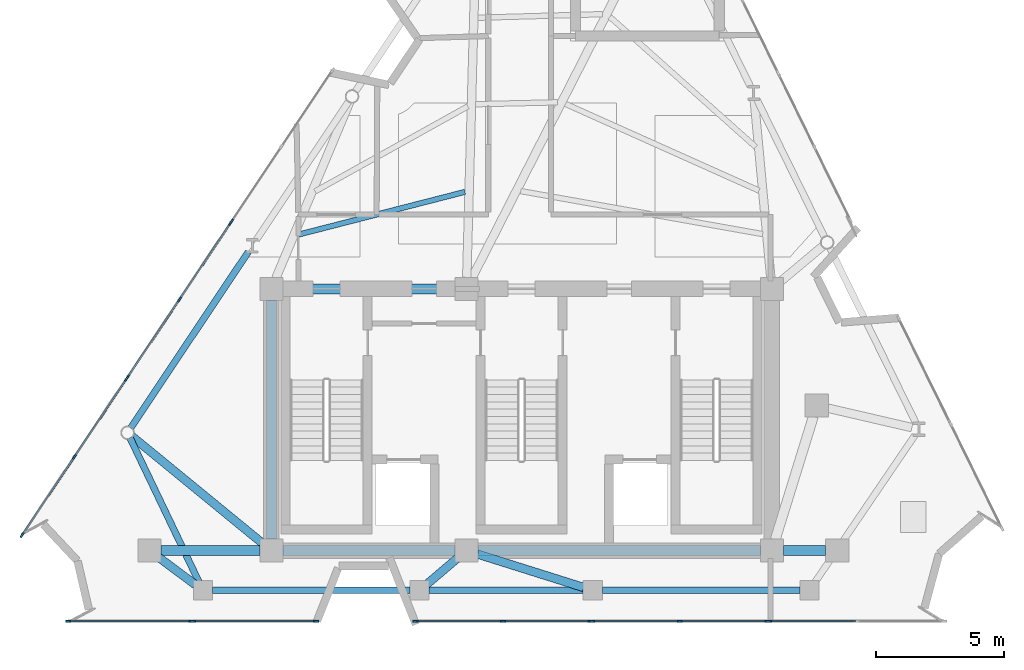
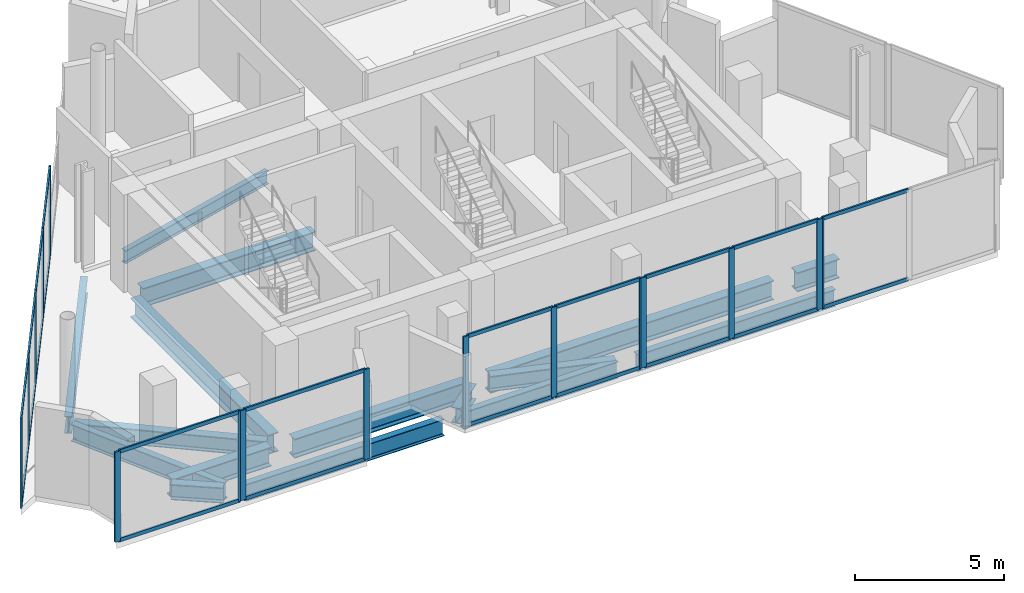
# One storey, part 2 of 9: 40 members, 16 beams, 8 elements without a shape of their own.
"""IFC4 building model written with IfcOpenShell, lengths in metres."""

import ifcopenshell
import ifcopenshell.guid

model = None  # the IFC model being written
_history = None  # IfcOwnerHistory: only IFC2X3 demands one
_inside = {}  # id of a spatial element -> (the spatial element, [elements in it])
_under = {}  # id of a project, library or spatial element -> (it, [spatial elements below it])
_declared = {}  # id of a project -> (the project, [libraries it declares])
_typed = {}  # id of a type object -> (the type object, [elements of that type])
_made_of = {}  # id of a material, layer set ... -> (it, [elements and type objects made of it])


def new_model(schema):
    """Start an empty IFC model of exactly this schema.

    Asked for "IFC4X3", IfcOpenShell would pick the latest addendum, in which some entities
    have other attributes; the version numbers below select the first issue.
    IFC2X3 requires an IfcOwnerHistory on every rooted entity: one is made here for all.
    """
    global model, _history
    if schema == "IFC4X3":
        model = ifcopenshell.file(schema_version=(4, 3, 0, 0))
    else:
        model = ifcopenshell.file(schema=schema)
    _inside.clear()
    _under.clear()
    _declared.clear()
    _typed.clear()
    _made_of.clear()
    _history = None
    if model.schema == "IFC2X3":
        org = make("IfcOrganization", Name="unknown")
        user = make(
            "IfcPersonAndOrganization",
            ThePerson=make("IfcPerson", FamilyName="unknown"),
            TheOrganization=org,
        )
        app = make(
            "IfcApplication",
            ApplicationDeveloper=org,
            Version="unknown",
            ApplicationFullName="unknown",
            ApplicationIdentifier="unknown",
        )
        _history = make(
            "IfcOwnerHistory",
            OwningUser=user,
            OwningApplication=app,
            ChangeAction="ADDED",
            CreationDate=0,
        )
    return model


def make(cls, **values):
    """One entity of the class cls with the attributes given. An attribute that is None is left unset."""
    return model.create_entity(
        cls, **{name: value for name, value in values.items() if value is not None}
    )


def rooted(cls, **values):
    """An entity with a GlobalId (a new one), such as an element, a storey or a relation."""
    return make(cls, GlobalId=ifcopenshell.guid.new(), OwnerHistory=_history, **values)


def si_unit(unit_type, name, prefix=None):
    """IfcSIUnit, for example si_unit("LENGTHUNIT", "METRE", prefix="MILLI")."""
    return make("IfcSIUnit", UnitType=unit_type, Prefix=prefix, Name=name)


def assignment(units):
    """IfcUnitAssignment: the units of a project."""
    return None if units is None else make("IfcUnitAssignment", Units=units)


def point(xyz):
    """IfcCartesianPoint."""
    return None if xyz is None else make("IfcCartesianPoint", Coordinates=xyz)


def direction(xyz):
    """IfcDirection."""
    return None if xyz is None else make("IfcDirection", DirectionRatios=xyz)


def frame(location, z_axis=None, x_axis=None):
    """IfcAxis2Placement3D, a coordinate frame: its origin and axes. An axis left out is left unset."""
    return make(
        "IfcAxis2Placement3D",
        Location=point(location),
        Axis=direction(z_axis),
        RefDirection=direction(x_axis),
    )


def frame_2d(location, x_axis=None):
    """IfcAxis2Placement2D, a coordinate frame in the plane: its origin and x axis."""
    return make(
        "IfcAxis2Placement2D", Location=point(location), RefDirection=direction(x_axis)
    )


def origin():
    """The frame at (0, 0, 0) with its axes left unset."""
    return frame((0.0, 0.0, 0.0))


def origin_2d():
    """The frame at (0, 0) in the plane with its x axis left unset."""
    return frame_2d((0.0, 0.0))


def place(relative_to, where):
    """IfcLocalPlacement: puts the frame where relative to a parent placement (None: the world)."""
    return make(
        "IfcLocalPlacement", PlacementRelTo=relative_to, RelativePlacement=where
    )


def context(
    kind, dimensions, precision=None, world=None, true_north=None, identifier=None
):
    """IfcGeometricRepresentationContext, for example the 3D "Model" context."""
    return make(
        "IfcGeometricRepresentationContext",
        ContextIdentifier=identifier,
        ContextType=kind,
        CoordinateSpaceDimension=dimensions,
        Precision=precision,
        WorldCoordinateSystem=world,
        TrueNorth=true_north,
    )


def subcontext(parent, identifier, kind, view, scale=None):
    """IfcGeometricRepresentationSubContext, for example "Body" below "Model"."""
    return make(
        "IfcGeometricRepresentationSubContext",
        ContextIdentifier=identifier,
        ContextType=kind,
        ParentContext=parent,
        TargetScale=scale,
        TargetView=view,
    )


def project(units=None, contexts=None):
    """IfcProject with its units and contexts."""
    return rooted(
        "IfcProject",
        Name="project",
        RepresentationContexts=contexts,
        UnitsInContext=assignment(units),
    )


def spatial(cls, under=None, at=None, **own):
    """A site, building, storey or space (cls), placed at a placement, below another one or the project."""
    s = rooted(cls, ObjectPlacement=at, **own)
    if under is not None:
        _under.setdefault(under.id(), (under, []))[1].append(s)
    return s


def profile(cls, at=None, kind="AREA", **sizes):
    """A parametric profile (cls). Its sizes go by their IFC names, for example OverallWidth=200.0."""
    return make(cls, ProfileType=kind, Position=at, **sizes)


def rectangle(**sizes):
    """IfcRectangleProfileDef."""
    return profile("IfcRectangleProfileDef", **sizes)


def i_section(**sizes):
    """IfcIShapeProfileDef."""
    return profile("IfcIShapeProfileDef", **sizes)


def extrude(swept, where, along, depth):
    """IfcExtrudedAreaSolid: the profile swept, set in the frame where, extruded along a direction by depth."""
    return make(
        "IfcExtrudedAreaSolid",
        SweptArea=swept,
        Position=where,
        ExtrudedDirection=direction(along),
        Depth=depth,
    )


def shape(context_of_items, identifier, shape_type, items):
    """IfcShapeRepresentation: the items that make up one representation, for example the "Body"."""
    return make(
        "IfcShapeRepresentation",
        ContextOfItems=context_of_items,
        RepresentationIdentifier=identifier,
        RepresentationType=shape_type,
        Items=items,
    )


def material(Name=None, Category=None):
    """IfcMaterial."""
    return make("IfcMaterial", Name=Name, Category=Category)


def layer(
    of_material, thickness, ventilated=None, Name=None, Category=None, Priority=None
):
    """IfcMaterialLayer: one layer of a wall or slab, of a material (None: an air gap)."""
    return make(
        "IfcMaterialLayer",
        Material=of_material,
        LayerThickness=thickness,
        IsVentilated=ventilated,
        Name=Name,
        Category=Category,
        Priority=Priority,
    )


def layer_set(layers, Name=None):
    """IfcMaterialLayerSet."""
    return make("IfcMaterialLayerSet", MaterialLayers=layers, LayerSetName=Name)


def material_profile(
    of_material, cross_section, Name=None, Category=None, Priority=None
):
    """IfcMaterialProfile: a cross section and its material."""
    return make(
        "IfcMaterialProfile",
        Name=Name,
        Material=of_material,
        Profile=cross_section,
        Priority=Priority,
        Category=Category,
    )


def profile_set(profiles, Name=None, composite=None):
    """IfcMaterialProfileSet."""
    return make(
        "IfcMaterialProfileSet",
        Name=Name,
        MaterialProfiles=profiles,
        CompositeProfile=composite,
    )


def made_of(thing, what):
    """Note that an element or type object is made of a material, layer set ...; save() writes the relation."""
    if what is not None:
        _made_of.setdefault(what.id(), (what, []))[1].append(thing)
    return thing


def type_object(cls, material=None, **own):
    """A type object (cls), such as IfcWallType, which elements share."""
    return made_of(rooted(cls, **own), material)


def element(
    cls,
    number,
    at=None,
    inside=None,
    cuts=None,
    type_object=None,
    material=None,
    context=None,
    identifier="Body",
    shape_type=None,
    held_by="IfcProductDefinitionShape",
    body=None,
    shapes=None,
    **own,
):
    """One element of the class cls, such as IfcWall. Its Tag is "e" and its number.

    at: its placement. inside: the storey or other place that contains it. cuts: it is an
    opening in that element (IfcRelVoidsElement). A single representation is given by context,
    identifier, shape_type and body (its items); several are given by shapes. held_by: the class
    of the entity that holds the representations. save() writes the other relations.
    """
    e = rooted(cls, Tag="e%d" % number, ObjectPlacement=at, **own)
    if body is not None:
        shapes = [shape(context, identifier, shape_type, body)]
    if shapes is not None:
        e.Representation = make(held_by, Representations=shapes)
    if inside is not None:
        _inside.setdefault(inside.id(), (inside, []))[1].append(e)
    if cuts is not None:
        rooted(
            "IfcRelVoidsElement", RelatingBuildingElement=cuts, RelatedOpeningElement=e
        )
    if type_object is not None:
        _typed.setdefault(type_object.id(), (type_object, []))[1].append(e)
    return made_of(e, material)


def aggregate(whole, parts):
    """IfcRelAggregates: a whole, such as a stair, and the parts it consists of."""
    return rooted("IfcRelAggregates", RelatingObject=whole, RelatedObjects=parts)


def save(model, path):
    """Write the relations noted so far, then the file.

    IfcRelAggregates (storeys below a building ...), IfcRelContainedInSpatialStructure (elements
    in a storey), IfcRelDefinesByType, IfcRelAssociatesMaterial and IfcRelDeclares: one each for
    every whole, place, type object, material and project.
    """
    for whole, parts in _under.values():
        aggregate(whole, parts)
    for where, things in _inside.values():
        rooted(
            "IfcRelContainedInSpatialStructure",
            RelatedElements=things,
            RelatingStructure=where,
        )
    for kind, things in _typed.values():
        rooted("IfcRelDefinesByType", RelatedObjects=things, RelatingType=kind)
    for what, things in _made_of.values():
        rooted("IfcRelAssociatesMaterial", RelatedObjects=things, RelatingMaterial=what)
    for by, libraries in _declared.values():
        rooted("IfcRelDeclares", RelatingContext=by, RelatedDefinitions=libraries)
    model.write(path)


model = new_model("IFC4")

# Units and contexts
model_context = context("Model", 3, precision=1e-05, world=origin(), true_north=direction((0.0, 1.0)))
body_context = subcontext(model_context, "Body", "Model", "MODEL_VIEW")
ifc_project = project(units=[si_unit("LENGTHUNIT", "METRE"), si_unit("AREAUNIT", "SQUARE_METRE"), si_unit("VOLUMEUNIT", "CUBIC_METRE"), si_unit("PLANEANGLEUNIT", "RADIAN"), si_unit("MASSUNIT", "GRAM", prefix="KILO")], contexts=[model_context])

# Site, building, storey
site_placement = place(None, origin())
site = spatial("IfcSite", under=ifc_project, at=site_placement, CompositionType="ELEMENT")
building_placement = place(site_placement, origin())
building = spatial("IfcBuilding", under=site, at=building_placement, Name="Almagre Mirador Tower", CompositionType="ELEMENT")
storey_placement = place(building_placement, frame((0.0, 0.0, 310.5)))
storey = spatial("IfcBuildingStorey", under=building, at=storey_placement, Name="L80", CompositionType="ELEMENT", Elevation=310.5)

# Beams
ifc_material_1 = material(Name="Steel ASTM A992 Grade 50", Category="steel")
ifc_material_profile_1 = material_profile(ifc_material_1, i_section(OverallWidth=0.208984375, OverallDepth=0.532958984375, WebThickness=0.01025390625, FlangeThickness=0.015625, FilletRadius=0.01806640625, at=origin_2d()), Name="W21X62")
ifc_profile_set_1 = profile_set([ifc_material_profile_1], Name="Steel ASTM A992 Grade 50")
beam_type_1 = type_object("IfcBeamType", Name="BM-JST-W21X62", PredefinedType="JOIST", material=ifc_profile_set_1)
beam_1_placement = place(storey_placement, frame((35.093994140625, 18.52880859375, -0.56640625), z_axis=(-0.968636779061, -0.248480965571, 0.0), x_axis=(0.248480965571, -0.968636779061, 0.0)))
element("IfcBeam", 1, at=beam_1_placement, inside=storey, type_object=beam_type_1, Name="L80 secondary floor joist PC09-PC10.3", PredefinedType="JOIST", context=body_context, shape_type="SweptSolid", body=[
    extrude(i_section(OverallWidth=0.208984375, OverallDepth=0.532958984375, WebThickness=0.01025390625, FlangeThickness=0.015625, FilletRadius=0.01806640625, at=origin_2d()), origin(), (0.0, 0.0, 1.0), 6.729248046875),
])
ifc_material_2 = material(Name="Steel ASTM A992 Grade 50", Category="steel")
ifc_material_profile_2 = material_profile(ifc_material_2, i_section(OverallWidth=0.256103515625, OverallDepth=0.693115234375, WebThickness=0.014404296875, FlangeThickness=0.023681640625, FilletRadius=0.02197265625, at=origin_2d()), Name="W27X114")
ifc_profile_set_2 = profile_set([ifc_material_profile_2], Name="Steel ASTM A992 Grade 50")
beam_type_2 = type_object("IfcBeamType", Name="BM-SPN-W27X114", PredefinedType="SPANDREL", material=ifc_profile_set_2)
beam_2_placement = place(storey_placement, frame((25.259033203125, 3.0, -0.646484375), z_axis=(1.0, 0.0, 0.0), x_axis=(0.0, 1.0, 0.0)))
element("IfcBeam", 2, at=beam_2_placement, inside=storey, type_object=beam_type_2, Name="L80 perimeter spandrel beam PC01-PC02", PredefinedType="SPANDREL", context=body_context, shape_type="SweptSolid", body=[
    extrude(i_section(OverallWidth=0.256103515625, OverallDepth=0.693115234375, WebThickness=0.014404296875, FlangeThickness=0.023681640625, FilletRadius=0.02197265625, at=origin_2d()), origin(), (0.0, 0.0, 1.0), 7.68994140625),
])
beam_3_placement = place(storey_placement, frame((33.698974609375, 3.0, -0.646484375), z_axis=(1.0, 0.0, 0.0), x_axis=(0.0, 1.0, 0.0)))
element("IfcBeam", 3, at=beam_3_placement, inside=storey, type_object=beam_type_2, Name="L80 perimeter spandrel beam PC02-PC03", PredefinedType="SPANDREL", context=body_context, shape_type="SweptSolid", body=[
    extrude(i_section(OverallWidth=0.256103515625, OverallDepth=0.693115234375, WebThickness=0.014404296875, FlangeThickness=0.023681640625, FilletRadius=0.02197265625, at=origin_2d()), origin(), (0.0, 0.0, 1.0), 6.001953125),
])
beam_4_placement = place(storey_placement, frame((40.450927734375, 3.0, -0.646484375), z_axis=(1.0, 0.0, 0.0), x_axis=(0.0, 1.0, 0.0)))
element("IfcBeam", 4, at=beam_4_placement, inside=storey, type_object=beam_type_2, Name="L80 perimeter spandrel beam PC03-PC04", PredefinedType="SPANDREL", context=body_context, shape_type="SweptSolid", body=[
    extrude(i_section(OverallWidth=0.256103515625, OverallDepth=0.693115234375, WebThickness=0.014404296875, FlangeThickness=0.023681640625, FilletRadius=0.02197265625, at=origin_2d()), origin(), (0.0, 0.0, 1.0), 7.690185546875),
])
beam_5_placement = place(storey_placement, frame((26.645751953125, 16.18505859375, -0.646484375), z_axis=(-0.555219210279, -0.831704051052, 0.0), x_axis=(0.831704051052, -0.555219210279, 0.0)))
element("IfcBeam", 5, at=beam_5_placement, inside=storey, type_object=beam_type_2, Name="L80 perimeter spandrel beam PC11-PC12", PredefinedType="SPANDREL", context=body_context, shape_type="SweptSolid", body=[
    extrude(i_section(OverallWidth=0.256103515625, OverallDepth=0.693115234375, WebThickness=0.014404296875, FlangeThickness=0.023681640625, FilletRadius=0.02197265625, at=origin_2d()), origin(), (0.0, 0.0, 1.0), 8.248291015625),
])
beam_6_placement = place(storey_placement, frame((22.0390625, 8.943603515625, -0.646484375), z_axis=(0.431747396031, -0.901994559862, 0.0), x_axis=(0.901994559862, 0.431747396031, 0.0)))
element("IfcBeam", 6, at=beam_6_placement, inside=storey, type_object=beam_type_2, Name="L80 perimeter spandrel beam PC12-PC01", PredefinedType="SPANDREL", context=body_context, shape_type="SweptSolid", body=[
    extrude(i_section(OverallWidth=0.256103515625, OverallDepth=0.693115234375, WebThickness=0.014404296875, FlangeThickness=0.023681640625, FilletRadius=0.02197265625, at=origin_2d()), origin(), (0.0, 0.0, 1.0), 6.214599609375),
])
ifc_material_3 = material(Name="Steel ASTM A992 Grade 50", Category="steel")
ifc_material_profile_3 = material_profile(ifc_material_3, i_section(OverallWidth=0.330078125, OverallDepth=0.635009765625, WebThickness=0.017822265625, FlangeThickness=0.031005859375, FilletRadius=0.02001953125, at=origin_2d()), Name="W24X162")
ifc_profile_set_3 = profile_set([ifc_material_profile_3], Name="Steel ASTM A992 Grade 50")
beam_type_3 = type_object("IfcBeamType", Name="BM-STL-W24X162", PredefinedType="BEAM", material=ifc_profile_set_3)
beam_7_placement = place(storey_placement, frame((24.5830078125, 3.223876953125, -0.617431640625), z_axis=(-0.802374373866, 0.596821048693, 0.0), x_axis=(-0.596821048693, -0.802374373866, 0.0)))
element("IfcBeam", 7, at=beam_7_placement, inside=storey, type_object=beam_type_3, Name="L80 radial floor girder PC01-MC1", PredefinedType="BEAM", context=body_context, shape_type="SweptSolid", body=[
    extrude(i_section(OverallWidth=0.330078125, OverallDepth=0.635009765625, WebThickness=0.017822265625, FlangeThickness=0.031005859375, FilletRadius=0.02001953125, at=origin_2d()), origin(), (0.0, 0.0, 1.0), 1.77197265625),
])
beam_8_placement = place(storey_placement, frame((33.60986328125, 3.24267578125, -0.617431640625), z_axis=(0.76236500019, 0.647147283457, 0.0), x_axis=(-0.647147283457, 0.76236500019, 0.0)))
element("IfcBeam", 8, at=beam_8_placement, inside=storey, type_object=beam_type_3, Name="L80 radial floor girder PC02-CC2", PredefinedType="BEAM", context=body_context, shape_type="SweptSolid", body=[
    extrude(i_section(OverallWidth=0.330078125, OverallDepth=0.635009765625, WebThickness=0.017822265625, FlangeThickness=0.031005859375, FilletRadius=0.02001953125, at=origin_2d()), origin(), (0.0, 0.0, 1.0), 1.570068359375),
])
beam_9_placement = place(storey_placement, frame((39.71826171875, 3.112548828125, -0.617431640625), z_axis=(-0.953898482719, 0.300129446518, 0.0), x_axis=(-0.300129446518, -0.953898482719, 0.0)))
element("IfcBeam", 9, at=beam_9_placement, inside=storey, type_object=beam_type_3, Name="L80 radial floor girder PC03-CC2", PredefinedType="BEAM", context=body_context, shape_type="SweptSolid", body=[
    extrude(i_section(OverallWidth=0.330078125, OverallDepth=0.635009765625, WebThickness=0.017822265625, FlangeThickness=0.031005859375, FilletRadius=0.02001953125, at=origin_2d()), origin(), (0.0, 0.0, 1.0), 4.3388671875),
])
beam_10_placement = place(storey_placement, frame((22.1142578125, 9.002685546875, -0.617431640625), z_axis=(0.773594952934, -0.633680399567, 0.0), x_axis=(0.633680399567, 0.773594952934, 0.0)))
element("IfcBeam", 10, at=beam_10_placement, inside=storey, type_object=beam_type_3, Name="L80 radial floor girder PC12-CC1", PredefinedType="BEAM", context=body_context, shape_type="SweptSolid", body=[
    extrude(i_section(OverallWidth=0.330078125, OverallDepth=0.635009765625, WebThickness=0.017822265625, FlangeThickness=0.031005859375, FilletRadius=0.02001953125, at=origin_2d()), origin(), (0.0, 0.0, 1.0), 6.57666015625),
])
ifc_material_4 = material(Name="Steel ASTM A992 Grade 50", Category="steel")
ifc_material_profile_4 = material_profile(ifc_material_4, i_section(OverallWidth=0.384033203125, OverallDepth=0.784912109375, WebThickness=0.019775390625, FlangeThickness=0.033447265625, FilletRadius=0.02392578125, at=origin_2d()), Name="W30X211")
ifc_profile_set_4 = profile_set([ifc_material_profile_4], Name="Steel ASTM A992 Grade 50")
beam_type_4 = type_object("IfcBeamType", Name="BM-STL-W30X211", PredefinedType="BEAM", material=ifc_profile_set_4)
beam_11_placement = place(storey_placement, frame((28.0, 4.550048828125, -0.6923828125), z_axis=(1.0, 0.0, 0.0), x_axis=(0.0, 1.0, 0.0)))
element("IfcBeam", 11, at=beam_11_placement, inside=storey, type_object=beam_type_4, Name="L80 core tie girder CC1-CC2", PredefinedType="BEAM", context=body_context, shape_type="SweptSolid", body=[
    extrude(i_section(OverallWidth=0.384033203125, OverallDepth=0.784912109375, WebThickness=0.019775390625, FlangeThickness=0.033447265625, FilletRadius=0.02392578125, at=origin_2d()), origin(), (0.0, 0.0, 1.0), 6.699951171875),
])
beam_12_placement = place(storey_placement, frame((35.60009765625, 4.550048828125, -0.6923828125), z_axis=(1.0, 0.0, 0.0), x_axis=(0.0, 1.0, 0.0)))
element("IfcBeam", 12, at=beam_12_placement, inside=storey, type_object=beam_type_4, Name="L80 core tie girder CC2-CC3", PredefinedType="BEAM", context=body_context, shape_type="SweptSolid", body=[
    extrude(i_section(OverallWidth=0.384033203125, OverallDepth=0.784912109375, WebThickness=0.019775390625, FlangeThickness=0.033447265625, FilletRadius=0.02392578125, at=origin_2d()), origin(), (0.0, 0.0, 1.0), 11.0),
])
beam_13_placement = place(storey_placement, frame((28.0, 14.75, -0.6923828125), z_axis=(1.0, 0.0, 0.0), x_axis=(0.0, 1.0, 0.0)))
element("IfcBeam", 13, at=beam_13_placement, inside=storey, type_object=beam_type_4, Name="L80 core tie girder CC4-CC5", PredefinedType="BEAM", context=body_context, shape_type="SweptSolid", body=[
    extrude(i_section(OverallWidth=0.384033203125, OverallDepth=0.784912109375, WebThickness=0.019775390625, FlangeThickness=0.033447265625, FilletRadius=0.02392578125, at=origin_2d()), origin(), (0.0, 0.0, 1.0), 6.699951171875),
])
beam_14_placement = place(storey_placement, frame((27.550048828125, 5.0, -0.6923828125), z_axis=(0.0, 1.0, 0.0), x_axis=(-1.0, 0.0, 0.0)))
element("IfcBeam", 14, at=beam_14_placement, inside=storey, type_object=beam_type_4, Name="L80 core tie girder CC1-CC4", PredefinedType="BEAM", context=body_context, shape_type="SweptSolid", body=[
    extrude(i_section(OverallWidth=0.384033203125, OverallDepth=0.784912109375, WebThickness=0.019775390625, FlangeThickness=0.033447265625, FilletRadius=0.02392578125, at=origin_2d()), origin(), (0.0, 0.0, 1.0), 9.300048828125),
])
beam_15_placement = place(storey_placement, frame((23.25, 4.550048828125, -0.6923828125), z_axis=(1.0, 0.0, 0.0), x_axis=(0.0, 1.0, 0.0)))
element("IfcBeam", 15, at=beam_15_placement, inside=storey, type_object=beam_type_4, Name="L80 core tie girder MC1-CC1", PredefinedType="BEAM", context=body_context, shape_type="SweptSolid", body=[
    extrude(i_section(OverallWidth=0.384033203125, OverallDepth=0.784912109375, WebThickness=0.019775390625, FlangeThickness=0.033447265625, FilletRadius=0.02392578125, at=origin_2d()), origin(), (0.0, 0.0, 1.0), 3.85009765625),
])
beam_16_placement = place(storey_placement, frame((49.14990234375, 4.550048828125, -0.6923828125), z_axis=(-1.0, 0.0, 0.0), x_axis=(0.0, -1.0, 0.0)))
element("IfcBeam", 16, at=beam_16_placement, inside=storey, type_object=beam_type_4, Name="L80 core tie girder MC2-CC3", PredefinedType="BEAM", context=body_context, shape_type="SweptSolid", body=[
    extrude(i_section(OverallWidth=0.384033203125, OverallDepth=0.784912109375, WebThickness=0.019775390625, FlangeThickness=0.033447265625, FilletRadius=0.02392578125, at=origin_2d()), origin(), (0.0, 0.0, 1.0), 1.64990234375),
])

# Curtain wall, members
ifc_material_5 = material(Name="Black anodized aluminium", Category="aluminium")
ifc_layer = layer(ifc_material_5, 0.2099609375)
ifc_layer_set = layer_set([ifc_layer], Name="Black anodized aluminium")
curtain_wall_type = type_object("IfcCurtainWallType", Name="CW-CRN-SYS", PredefinedType="NOTDEFINED", material=ifc_layer_set)
curtain_wall_1_placement = place(storey_placement, origin())
curtain_wall_1 = element("IfcCurtainWall", 17, at=curtain_wall_1_placement, inside=storey, type_object=curtain_wall_type, Name="L80 curtain wall run 01", PredefinedType="NOTDEFINED")
ifc_material_6 = material(Name="Black anodized aluminium", Category="aluminium")
ifc_material_profile_5 = material_profile(ifc_material_6, rectangle(XDim=0.070068359375, YDim=0.2099609375, at=origin_2d()), Name="CWM70X210")
ifc_profile_set_5 = profile_set([ifc_material_profile_5], Name="Black anodized aluminium")
member_type_1 = type_object("IfcMemberType", Name="MBR-CWM70X210", PredefinedType="MULLION", material=ifc_profile_set_5)
member_1_placement = place(storey_placement, frame((17.840576171875, 5.15625, 0.0), z_axis=(0.0, 0.0, 1.0), x_axis=(-0.831701907626, 0.555222421063, 0.0)))
member_1 = element("IfcMember", 18, at=member_1_placement, type_object=member_type_1, Name="CW-6 mullion 1", PredefinedType="MULLION", context=body_context, shape_type="SweptSolid", body=[
    extrude(rectangle(XDim=0.070068359375, YDim=0.2099609375, at=origin_2d()), origin(), (0.0, 0.0, 1.0), 3.699951171875),
])
member_2_placement = place(storey_placement, frame((19.869384765625, 8.1953125, 0.0), z_axis=(0.0, 0.0, 1.0), x_axis=(-0.831701907626, 0.555222421063, 0.0)))
member_2 = element("IfcMember", 19, at=member_2_placement, type_object=member_type_1, Name="CW-6 mullion 2", PredefinedType="MULLION", context=body_context, shape_type="SweptSolid", body=[
    extrude(rectangle(XDim=0.070068359375, YDim=0.2099609375, at=origin_2d()), origin(), (0.0, 0.0, 1.0), 3.699951171875),
])
member_3_placement = place(storey_placement, frame((21.898193359375, 11.234375, 0.0), z_axis=(0.0, 0.0, 1.0), x_axis=(-0.831701907626, 0.555222421063, 0.0)))
member_3 = element("IfcMember", 20, at=member_3_placement, type_object=member_type_1, Name="CW-6 mullion 3", PredefinedType="MULLION", context=body_context, shape_type="SweptSolid", body=[
    extrude(rectangle(XDim=0.070068359375, YDim=0.2099609375, at=origin_2d()), origin(), (0.0, 0.0, 1.0), 3.699951171875),
])

curtain_wall_2_placement = place(storey_placement, origin())
curtain_wall_2 = element("IfcCurtainWall", 21, at=curtain_wall_2_placement, inside=storey, type_object=curtain_wall_type, Name="L80 curtain wall run 02", PredefinedType="NOTDEFINED")
member_4_placement = place(storey_placement, frame((21.93701171875, 11.292724609375, 0.0), z_axis=(0.0, 0.0, 1.0), x_axis=(-0.831701907626, 0.555222421063, 0.0)))
member_4 = element("IfcMember", 22, at=member_4_placement, type_object=member_type_1, Name="CW-6 mullion 1", PredefinedType="MULLION", context=body_context, shape_type="SweptSolid", body=[
    extrude(rectangle(XDim=0.070068359375, YDim=0.2099609375, at=origin_2d()), origin(), (0.0, 0.0, 1.0), 3.699951171875),
])
member_5_placement = place(storey_placement, frame((23.9658203125, 14.331787109375, 0.0), z_axis=(0.0, 0.0, 1.0), x_axis=(-0.831701907626, 0.555222421063, 0.0)))
member_5 = element("IfcMember", 23, at=member_5_placement, type_object=member_type_1, Name="CW-6 mullion 2", PredefinedType="MULLION", context=body_context, shape_type="SweptSolid", body=[
    extrude(rectangle(XDim=0.070068359375, YDim=0.2099609375, at=origin_2d()), origin(), (0.0, 0.0, 1.0), 3.699951171875),
])
member_6_placement = place(storey_placement, frame((25.99462890625, 17.370849609375, 0.0), z_axis=(0.0, 0.0, 1.0), x_axis=(-0.831701907626, 0.555222421063, 0.0)))
member_6 = element("IfcMember", 24, at=member_6_placement, type_object=member_type_1, Name="CW-6 mullion 3", PredefinedType="MULLION", context=body_context, shape_type="SweptSolid", body=[
    extrude(rectangle(XDim=0.070068359375, YDim=0.2099609375, at=origin_2d()), origin(), (0.0, 0.0, 1.0), 3.699951171875),
])

# Curtain wall, member
curtain_wall_3_placement = place(storey_placement, origin())
curtain_wall_3 = element("IfcCurtainWall", 25, at=curtain_wall_3_placement, inside=storey, type_object=curtain_wall_type, Name="L80 curtain wall run 03", PredefinedType="NOTDEFINED")
member_7_placement = place(storey_placement, frame((25.955810546875, 17.312744140625, 0.0), z_axis=(0.0, 0.0, 1.0), x_axis=(-0.83170106349, 0.555223685545, 0.0)))
member_7 = element("IfcMember", 26, at=member_7_placement, type_object=member_type_1, Name="CW-6 mullion 1", PredefinedType="MULLION", context=body_context, shape_type="SweptSolid", body=[
    extrude(rectangle(XDim=0.070068359375, YDim=0.2099609375, at=origin_2d()), origin(), (0.0, 0.0, 1.0), 2.0048828125),
])
aggregate(curtain_wall_3, [member_7])

curtain_wall_4_placement = place(storey_placement, origin())
curtain_wall_4 = element("IfcCurtainWall", 27, at=curtain_wall_4_placement, inside=storey, type_object=curtain_wall_type, Name="L80 curtain wall run 11", PredefinedType="NOTDEFINED")
member_8_placement = place(storey_placement, frame((46.9443359375, 1.800048828125, 0.0), z_axis=(0.0, 0.0, 1.0), x_axis=(0.0, -1.0, 0.0)))
member_8 = element("IfcMember", 28, at=member_8_placement, type_object=member_type_1, Name="CW-6 mullion 3", PredefinedType="MULLION", context=body_context, shape_type="SweptSolid", body=[
    extrude(rectangle(XDim=0.070068359375, YDim=0.2099609375, at=origin_2d()), origin(), (0.0, 0.0, 1.0), 3.699951171875),
])

# Curtain wall, members
curtain_wall_5_placement = place(storey_placement, origin())
curtain_wall_5 = element("IfcCurtainWall", 29, at=curtain_wall_5_placement, inside=storey, type_object=curtain_wall_type, Name="L80 curtain wall run 12", PredefinedType="NOTDEFINED")
member_9_placement = place(storey_placement, frame((46.874267578125, 1.800048828125, 0.0), z_axis=(0.0, 0.0, 1.0), x_axis=(0.0, -1.0, 0.0)))
member_9 = element("IfcMember", 30, at=member_9_placement, type_object=member_type_1, Name="CW-6 mullion 1", PredefinedType="MULLION", context=body_context, shape_type="SweptSolid", body=[
    extrude(rectangle(XDim=0.070068359375, YDim=0.2099609375, at=origin_2d()), origin(), (0.0, 0.0, 1.0), 3.699951171875),
])
member_10_placement = place(storey_placement, frame((43.464111328125, 1.800048828125, 0.0), z_axis=(0.0, 0.0, 1.0), x_axis=(0.0, -1.0, 0.0)))
member_10 = element("IfcMember", 31, at=member_10_placement, type_object=member_type_1, Name="CW-6 mullion 2", PredefinedType="MULLION", context=body_context, shape_type="SweptSolid", body=[
    extrude(rectangle(XDim=0.070068359375, YDim=0.2099609375, at=origin_2d()), origin(), (0.0, 0.0, 1.0), 3.699951171875),
])
member_11_placement = place(storey_placement, frame((40.0537109375, 1.800048828125, 0.0), z_axis=(0.0, 0.0, 1.0), x_axis=(0.0, -1.0, 0.0)))
member_11 = element("IfcMember", 32, at=member_11_placement, type_object=member_type_1, Name="CW-6 mullion 3", PredefinedType="MULLION", context=body_context, shape_type="SweptSolid", body=[
    extrude(rectangle(XDim=0.070068359375, YDim=0.2099609375, at=origin_2d()), origin(), (0.0, 0.0, 1.0), 3.699951171875),
])

curtain_wall_6_placement = place(storey_placement, origin())
curtain_wall_6 = element("IfcCurtainWall", 33, at=curtain_wall_6_placement, inside=storey, type_object=curtain_wall_type, Name="L80 curtain wall run 13", PredefinedType="NOTDEFINED")
member_12_placement = place(storey_placement, frame((39.983642578125, 1.800048828125, 0.0), z_axis=(0.0, 0.0, 1.0), x_axis=(0.0, -1.0, 0.0)))
member_12 = element("IfcMember", 34, at=member_12_placement, type_object=member_type_1, Name="CW-6 mullion 1", PredefinedType="MULLION", context=body_context, shape_type="SweptSolid", body=[
    extrude(rectangle(XDim=0.070068359375, YDim=0.2099609375, at=origin_2d()), origin(), (0.0, 0.0, 1.0), 3.699951171875),
])
member_13_placement = place(storey_placement, frame((36.573486328125, 1.800048828125, 0.0), z_axis=(0.0, 0.0, 1.0), x_axis=(0.0, -1.0, 0.0)))
member_13 = element("IfcMember", 35, at=member_13_placement, type_object=member_type_1, Name="CW-6 mullion 2", PredefinedType="MULLION", context=body_context, shape_type="SweptSolid", body=[
    extrude(rectangle(XDim=0.070068359375, YDim=0.2099609375, at=origin_2d()), origin(), (0.0, 0.0, 1.0), 3.699951171875),
])
member_14_placement = place(storey_placement, frame((33.1630859375, 1.800048828125, 0.0), z_axis=(0.0, 0.0, 1.0), x_axis=(0.0, -1.0, 0.0)))
member_14 = element("IfcMember", 36, at=member_14_placement, type_object=member_type_1, Name="CW-6 mullion 3", PredefinedType="MULLION", context=body_context, shape_type="SweptSolid", body=[
    extrude(rectangle(XDim=0.070068359375, YDim=0.2099609375, at=origin_2d()), origin(), (0.0, 0.0, 1.0), 3.699951171875),
])

curtain_wall_7_placement = place(storey_placement, origin())
curtain_wall_7 = element("IfcCurtainWall", 37, at=curtain_wall_7_placement, inside=storey, type_object=curtain_wall_type, Name="L80 curtain wall run 14", PredefinedType="NOTDEFINED")
member_15_placement = place(storey_placement, frame((29.292724609375, 1.800048828125, 0.0), z_axis=(0.0, 0.0, 1.0), x_axis=(0.0, -1.0, 0.0)))
member_15 = element("IfcMember", 38, at=member_15_placement, type_object=member_type_1, Name="CW-6 mullion 1", PredefinedType="MULLION", context=body_context, shape_type="SweptSolid", body=[
    extrude(rectangle(XDim=0.070068359375, YDim=0.2099609375, at=origin_2d()), origin(), (0.0, 0.0, 1.0), 3.699951171875),
])
member_16_placement = place(storey_placement, frame((24.4990234375, 1.800048828125, 0.0), z_axis=(0.0, 0.0, 1.0), x_axis=(0.0, -1.0, 0.0)))
member_16 = element("IfcMember", 39, at=member_16_placement, type_object=member_type_1, Name="CW-6 mullion 2", PredefinedType="MULLION", context=body_context, shape_type="SweptSolid", body=[
    extrude(rectangle(XDim=0.070068359375, YDim=0.2099609375, at=origin_2d()), origin(), (0.0, 0.0, 1.0), 3.699951171875),
])

curtain_wall_8_placement = place(storey_placement, origin())
curtain_wall_8 = element("IfcCurtainWall", 40, at=curtain_wall_8_placement, inside=storey, type_object=curtain_wall_type, Name="L80 curtain wall run 15", PredefinedType="NOTDEFINED")
member_17_placement = place(storey_placement, frame((24.428955078125, 1.800048828125, 0.0), z_axis=(0.0, 0.0, 1.0), x_axis=(0.0, -1.0, 0.0)))
member_17 = element("IfcMember", 41, at=member_17_placement, type_object=member_type_1, Name="CW-6 mullion 1", PredefinedType="MULLION", context=body_context, shape_type="SweptSolid", body=[
    extrude(rectangle(XDim=0.070068359375, YDim=0.2099609375, at=origin_2d()), origin(), (0.0, 0.0, 1.0), 3.699951171875),
])
member_18_placement = place(storey_placement, frame((19.63525390625, 1.800048828125, 0.0), z_axis=(0.0, 0.0, 1.0), x_axis=(0.0, -1.0, 0.0)))
member_18 = element("IfcMember", 42, at=member_18_placement, type_object=member_type_1, Name="CW-6 mullion 2", PredefinedType="MULLION", context=body_context, shape_type="SweptSolid", body=[
    extrude(rectangle(XDim=0.070068359375, YDim=0.2099609375, at=origin_2d()), origin(), (0.0, 0.0, 1.0), 3.699951171875),
])

# Member
ifc_material_7 = material(Name="Black anodized aluminium", Category="aluminium")
ifc_material_profile_6 = material_profile(ifc_material_7, rectangle(XDim=0.06494140625, YDim=0.14990234375, at=origin_2d()), Name="CWT65X150")
ifc_profile_set_6 = profile_set([ifc_material_profile_6], Name="Black anodized aluminium")
member_type_2 = type_object("IfcMemberType", Name="MBR-CWT65X150", PredefinedType="USERDEFINED", material=ifc_profile_set_6)
member_19_placement = place(storey_placement, frame((17.85986328125, 5.185302734375, 0.032470703125), z_axis=(0.555218822922, 0.83170430964, 0.0), x_axis=(-0.83170430964, 0.555218822922, 0.0)))
member_19 = element("IfcMember", 43, at=member_19_placement, type_object=member_type_2, Name="CW-6 transom 1.1", ObjectType="TRANSOM", PredefinedType="USERDEFINED", context=body_context, shape_type="SweptSolid", body=[
    extrude(rectangle(XDim=0.06494140625, YDim=0.14990234375, at=origin_2d()), origin(), (0.0, 0.0, 1.0), 3.584228515625),
])

member_20_placement = place(storey_placement, frame((17.85986328125, 5.185302734375, 3.66748046875), z_axis=(0.555218822922, 0.83170430964, 0.0), x_axis=(-0.83170430964, 0.555218822922, 0.0)))
member_20 = element("IfcMember", 44, at=member_20_placement, type_object=member_type_2, Name="CW-6 transom 1.2", ObjectType="TRANSOM", PredefinedType="USERDEFINED", context=body_context, shape_type="SweptSolid", body=[
    extrude(rectangle(XDim=0.06494140625, YDim=0.14990234375, at=origin_2d()), origin(), (0.0, 0.0, 1.0), 3.584228515625),
])

member_21_placement = place(storey_placement, frame((19.888671875, 8.224609375, 0.032470703125), z_axis=(0.55525027907, 0.831683309675, 0.0), x_axis=(-0.831683309675, 0.55525027907, 0.0)))
member_21 = element("IfcMember", 45, at=member_21_placement, type_object=member_type_2, Name="CW-6 transom 2.1", ObjectType="TRANSOM", PredefinedType="USERDEFINED", context=body_context, shape_type="SweptSolid", body=[
    extrude(rectangle(XDim=0.06494140625, YDim=0.14990234375, at=origin_2d()), origin(), (0.0, 0.0, 1.0), 3.583984375),
])

member_22_placement = place(storey_placement, frame((19.888671875, 8.224609375, 3.66748046875), z_axis=(0.55525027907, 0.831683309675, 0.0), x_axis=(-0.831683309675, 0.55525027907, 0.0)))
member_22 = element("IfcMember", 46, at=member_22_placement, type_object=member_type_2, Name="CW-6 transom 2.2", ObjectType="TRANSOM", PredefinedType="USERDEFINED", context=body_context, shape_type="SweptSolid", body=[
    extrude(rectangle(XDim=0.06494140625, YDim=0.14990234375, at=origin_2d()), origin(), (0.0, 0.0, 1.0), 3.583984375),
])

aggregate(curtain_wall_1, [member_1, member_2, member_3, member_19, member_20, member_21, member_22])

member_23_placement = place(storey_placement, frame((21.95654296875, 11.32177734375, 0.032470703125), z_axis=(0.555218822922, 0.83170430964, 0.0), x_axis=(-0.83170430964, 0.555218822922, 0.0)))
member_23 = element("IfcMember", 47, at=member_23_placement, type_object=member_type_2, Name="CW-6 transom 1.1", ObjectType="TRANSOM", PredefinedType="USERDEFINED", context=body_context, shape_type="SweptSolid", body=[
    extrude(rectangle(XDim=0.06494140625, YDim=0.14990234375, at=origin_2d()), origin(), (0.0, 0.0, 1.0), 3.584228515625),
])

member_24_placement = place(storey_placement, frame((21.95654296875, 11.32177734375, 3.66748046875), z_axis=(0.555218822922, 0.83170430964, 0.0), x_axis=(-0.83170430964, 0.555218822922, 0.0)))
member_24 = element("IfcMember", 48, at=member_24_placement, type_object=member_type_2, Name="CW-6 transom 1.2", ObjectType="TRANSOM", PredefinedType="USERDEFINED", context=body_context, shape_type="SweptSolid", body=[
    extrude(rectangle(XDim=0.06494140625, YDim=0.14990234375, at=origin_2d()), origin(), (0.0, 0.0, 1.0), 3.584228515625),
])

member_25_placement = place(storey_placement, frame((23.9853515625, 14.36083984375, 0.032470703125), z_axis=(0.555218822922, 0.83170430964, 0.0), x_axis=(-0.83170430964, 0.555218822922, 0.0)))
member_25 = element("IfcMember", 49, at=member_25_placement, type_object=member_type_2, Name="CW-6 transom 2.1", ObjectType="TRANSOM", PredefinedType="USERDEFINED", context=body_context, shape_type="SweptSolid", body=[
    extrude(rectangle(XDim=0.06494140625, YDim=0.14990234375, at=origin_2d()), origin(), (0.0, 0.0, 1.0), 3.584228515625),
])

member_26_placement = place(storey_placement, frame((23.9853515625, 14.36083984375, 3.66748046875), z_axis=(0.555218822922, 0.83170430964, 0.0), x_axis=(-0.83170430964, 0.555218822922, 0.0)))
member_26 = element("IfcMember", 50, at=member_26_placement, type_object=member_type_2, Name="CW-6 transom 2.2", ObjectType="TRANSOM", PredefinedType="USERDEFINED", context=body_context, shape_type="SweptSolid", body=[
    extrude(rectangle(XDim=0.06494140625, YDim=0.14990234375, at=origin_2d()), origin(), (0.0, 0.0, 1.0), 3.584228515625),
])

aggregate(curtain_wall_2, [member_4, member_5, member_6, member_23, member_24, member_25, member_26])

member_27_placement = place(storey_placement, frame((50.319580078125, 1.800048828125, 0.032470703125), z_axis=(-1.0, 0.0, 0.0), x_axis=(0.0, -1.0, 0.0)))
member_27 = element("IfcMember", 51, at=member_27_placement, type_object=member_type_2, Name="CW-6 transom 2.1", ObjectType="TRANSOM", PredefinedType="USERDEFINED", context=body_context, shape_type="SweptSolid", body=[
    extrude(rectangle(XDim=0.06494140625, YDim=0.14990234375, at=origin_2d()), origin(), (0.0, 0.0, 1.0), 3.34033203125),
])

member_28_placement = place(storey_placement, frame((50.319580078125, 1.800048828125, 3.66748046875), z_axis=(-1.0, 0.0, 0.0), x_axis=(0.0, -1.0, 0.0)))
member_28 = element("IfcMember", 52, at=member_28_placement, type_object=member_type_2, Name="CW-6 transom 2.2", ObjectType="TRANSOM", PredefinedType="USERDEFINED", context=body_context, shape_type="SweptSolid", body=[
    extrude(rectangle(XDim=0.06494140625, YDim=0.14990234375, at=origin_2d()), origin(), (0.0, 0.0, 1.0), 3.34033203125),
])

aggregate(curtain_wall_4, [member_8, member_27, member_28])

member_29_placement = place(storey_placement, frame((46.83935546875, 1.800048828125, 0.032470703125), z_axis=(-1.0, 0.0, 0.0), x_axis=(0.0, -1.0, 0.0)))
member_29 = element("IfcMember", 53, at=member_29_placement, type_object=member_type_2, Name="CW-6 transom 1.1", ObjectType="TRANSOM", PredefinedType="USERDEFINED", context=body_context, shape_type="SweptSolid", body=[
    extrude(rectangle(XDim=0.06494140625, YDim=0.14990234375, at=origin_2d()), origin(), (0.0, 0.0, 1.0), 3.34033203125),
])

member_30_placement = place(storey_placement, frame((46.83935546875, 1.800048828125, 3.66748046875), z_axis=(-1.0, 0.0, 0.0), x_axis=(0.0, -1.0, 0.0)))
member_30 = element("IfcMember", 54, at=member_30_placement, type_object=member_type_2, Name="CW-6 transom 1.2", ObjectType="TRANSOM", PredefinedType="USERDEFINED", context=body_context, shape_type="SweptSolid", body=[
    extrude(rectangle(XDim=0.06494140625, YDim=0.14990234375, at=origin_2d()), origin(), (0.0, 0.0, 1.0), 3.34033203125),
])

member_31_placement = place(storey_placement, frame((43.428955078125, 1.800048828125, 0.032470703125), z_axis=(-1.0, 0.0, 0.0), x_axis=(0.0, -1.0, 0.0)))
member_31 = element("IfcMember", 55, at=member_31_placement, type_object=member_type_2, Name="CW-6 transom 2.1", ObjectType="TRANSOM", PredefinedType="USERDEFINED", context=body_context, shape_type="SweptSolid", body=[
    extrude(rectangle(XDim=0.06494140625, YDim=0.14990234375, at=origin_2d()), origin(), (0.0, 0.0, 1.0), 3.34033203125),
])

member_32_placement = place(storey_placement, frame((43.428955078125, 1.800048828125, 3.66748046875), z_axis=(-1.0, 0.0, 0.0), x_axis=(0.0, -1.0, 0.0)))
member_32 = element("IfcMember", 56, at=member_32_placement, type_object=member_type_2, Name="CW-6 transom 2.2", ObjectType="TRANSOM", PredefinedType="USERDEFINED", context=body_context, shape_type="SweptSolid", body=[
    extrude(rectangle(XDim=0.06494140625, YDim=0.14990234375, at=origin_2d()), origin(), (0.0, 0.0, 1.0), 3.34033203125),
])

aggregate(curtain_wall_5, [member_9, member_10, member_11, member_29, member_30, member_31, member_32])

member_33_placement = place(storey_placement, frame((39.94873046875, 1.800048828125, 0.032470703125), z_axis=(-1.0, 0.0, 0.0), x_axis=(0.0, -1.0, 0.0)))
member_33 = element("IfcMember", 57, at=member_33_placement, type_object=member_type_2, Name="CW-6 transom 1.1", ObjectType="TRANSOM", PredefinedType="USERDEFINED", context=body_context, shape_type="SweptSolid", body=[
    extrude(rectangle(XDim=0.06494140625, YDim=0.14990234375, at=origin_2d()), origin(), (0.0, 0.0, 1.0), 3.34033203125),
])

member_34_placement = place(storey_placement, frame((39.94873046875, 1.800048828125, 3.66748046875), z_axis=(-1.0, 0.0, 0.0), x_axis=(0.0, -1.0, 0.0)))
member_34 = element("IfcMember", 58, at=member_34_placement, type_object=member_type_2, Name="CW-6 transom 1.2", ObjectType="TRANSOM", PredefinedType="USERDEFINED", context=body_context, shape_type="SweptSolid", body=[
    extrude(rectangle(XDim=0.06494140625, YDim=0.14990234375, at=origin_2d()), origin(), (0.0, 0.0, 1.0), 3.34033203125),
])

member_35_placement = place(storey_placement, frame((36.538330078125, 1.800048828125, 0.032470703125), z_axis=(-1.0, 0.0, 0.0), x_axis=(0.0, -1.0, 0.0)))
member_35 = element("IfcMember", 59, at=member_35_placement, type_object=member_type_2, Name="CW-6 transom 2.1", ObjectType="TRANSOM", PredefinedType="USERDEFINED", context=body_context, shape_type="SweptSolid", body=[
    extrude(rectangle(XDim=0.06494140625, YDim=0.14990234375, at=origin_2d()), origin(), (0.0, 0.0, 1.0), 3.340087890625),
])

member_36_placement = place(storey_placement, frame((36.538330078125, 1.800048828125, 3.66748046875), z_axis=(-1.0, 0.0, 0.0), x_axis=(0.0, -1.0, 0.0)))
member_36 = element("IfcMember", 60, at=member_36_placement, type_object=member_type_2, Name="CW-6 transom 2.2", ObjectType="TRANSOM", PredefinedType="USERDEFINED", context=body_context, shape_type="SweptSolid", body=[
    extrude(rectangle(XDim=0.06494140625, YDim=0.14990234375, at=origin_2d()), origin(), (0.0, 0.0, 1.0), 3.340087890625),
])

aggregate(curtain_wall_6, [member_12, member_13, member_14, member_33, member_34, member_35, member_36])

member_37_placement = place(storey_placement, frame((29.2578125, 1.800048828125, 0.032470703125), z_axis=(-1.0, 0.0, 0.0), x_axis=(0.0, -1.0, 0.0)))
member_37 = element("IfcMember", 61, at=member_37_placement, type_object=member_type_2, Name="CW-6 transom 1.1", ObjectType="TRANSOM", PredefinedType="USERDEFINED", context=body_context, shape_type="SweptSolid", body=[
    extrude(rectangle(XDim=0.06494140625, YDim=0.14990234375, at=origin_2d()), origin(), (0.0, 0.0, 1.0), 4.723876953125),
])

member_38_placement = place(storey_placement, frame((29.2578125, 1.800048828125, 3.66748046875), z_axis=(-1.0, 0.0, 0.0), x_axis=(0.0, -1.0, 0.0)))
member_38 = element("IfcMember", 62, at=member_38_placement, type_object=member_type_2, Name="CW-6 transom 1.2", ObjectType="TRANSOM", PredefinedType="USERDEFINED", context=body_context, shape_type="SweptSolid", body=[
    extrude(rectangle(XDim=0.06494140625, YDim=0.14990234375, at=origin_2d()), origin(), (0.0, 0.0, 1.0), 4.723876953125),
])

aggregate(curtain_wall_7, [member_15, member_16, member_37, member_38])

member_39_placement = place(storey_placement, frame((24.39404296875, 1.800048828125, 0.032470703125), z_axis=(-1.0, 0.0, 0.0), x_axis=(0.0, -1.0, 0.0)))
member_39 = element("IfcMember", 63, at=member_39_placement, type_object=member_type_2, Name="CW-6 transom 1.1", ObjectType="TRANSOM", PredefinedType="USERDEFINED", context=body_context, shape_type="SweptSolid", body=[
    extrude(rectangle(XDim=0.06494140625, YDim=0.14990234375, at=origin_2d()), origin(), (0.0, 0.0, 1.0), 4.723876953125),
])

member_40_placement = place(storey_placement, frame((24.39404296875, 1.800048828125, 3.66748046875), z_axis=(-1.0, 0.0, 0.0), x_axis=(0.0, -1.0, 0.0)))
member_40 = element("IfcMember", 64, at=member_40_placement, type_object=member_type_2, Name="CW-6 transom 1.2", ObjectType="TRANSOM", PredefinedType="USERDEFINED", context=body_context, shape_type="SweptSolid", body=[
    extrude(rectangle(XDim=0.06494140625, YDim=0.14990234375, at=origin_2d()), origin(), (0.0, 0.0, 1.0), 4.723876953125),
])

aggregate(curtain_wall_8, [member_17, member_18, member_39, member_40])

save(model, "model.ifc")
